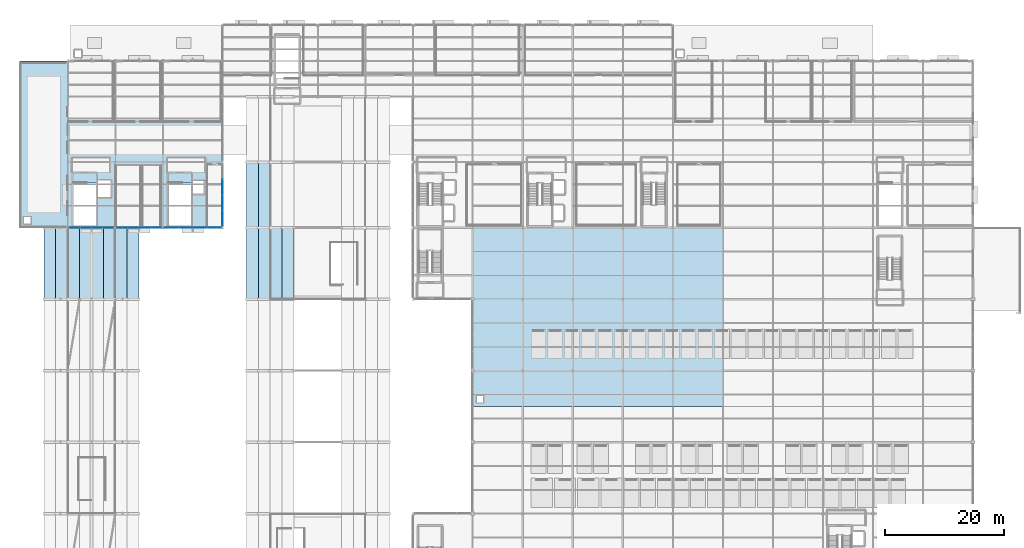
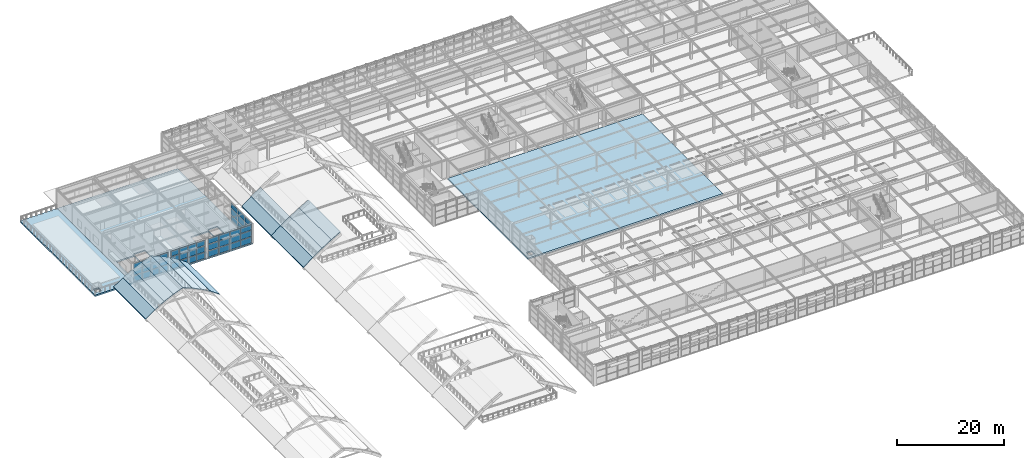
# One storey, part 48 of 82: 45 plates, 17 slabs, 4 elements without a shape of their own.
"""IFC4 building model written with IfcOpenShell, lengths in metres."""

from ifc_helpers import new_model, si_unit, direction, frame, origin, origin_2d, place, context, subcontext, project, spatial, polyline, rectangle, outline, extrude, material, layer, layer_set, type_object, element, aggregate, save


model = new_model("IFC4")

# Units and contexts
model_context = context("Model", 3, precision=1e-05, world=origin(), true_north=direction((0.0, 1.0)))
body_context = subcontext(model_context, "Body", "Model", "MODEL_VIEW")
ifc_project = project(units=[si_unit("LENGTHUNIT", "METRE"), si_unit("AREAUNIT", "SQUARE_METRE"), si_unit("VOLUMEUNIT", "CUBIC_METRE"), si_unit("PLANEANGLEUNIT", "RADIAN"), si_unit("MASSUNIT", "GRAM", prefix="KILO")], contexts=[model_context])

# Site, building, storey
site_placement = place(None, origin())
site = spatial("IfcSite", under=ifc_project, at=site_placement, CompositionType="ELEMENT")
building_placement = place(site_placement, origin())
building = spatial("IfcBuilding", under=site, at=building_placement, Name="Sitalva Quay Ferry Terminal", CompositionType="ELEMENT")
storey_placement = place(building_placement, frame((0.0, 0.0, 5.39990234375)))
storey = spatial("IfcBuildingStorey", under=building, at=storey_placement, Name="L02", CompositionType="ELEMENT", Elevation=5.39990234375)

# Curtain wall, plates
ifc_material_1 = material(Name="Anodised Aluminium & Low-E Glazing", Category="aluminium")
ifc_layer_1 = layer(ifc_material_1, 0.159912109375)
ifc_layer_set_1 = layer_set([ifc_layer_1], Name="Anodised Aluminium & Low-E Glazing")
curtain_wall_type = type_object("IfcCurtainWallType", Name="CW_Office_Unitised", PredefinedType="USERDEFINED", material=ifc_layer_set_1)
curtain_wall_1_placement = place(storey_placement, origin())
curtain_wall_1 = element("IfcCurtainWall", 1, at=curtain_wall_1_placement, inside=storey, type_object=curtain_wall_type, Name="L02 west wing south courtyard glazing (CW-L02-106)", ObjectType="CURTAIN_WALL", PredefinedType="USERDEFINED")
ifc_material_2 = material(Name="Solar-Control Low-E Glazing", Category="glass")
ifc_layer_2 = layer(ifc_material_2, 0.031982421875)
ifc_layer_set_2 = layer_set([ifc_layer_2], Name="Solar-Control Low-E Glazing")
plate_type_1 = type_object("IfcPlateType", Name="Panel_Solar_IGU_32", PredefinedType="CURTAIN_PANEL", material=ifc_layer_set_2)
plate_1_placement = place(storey_placement, frame((17.2099609375, 78.0, 1.63330078125), z_axis=(0.0, 0.0, 1.0), x_axis=(1.0, 0.0, 0.0)))
plate_1 = element("IfcPlate", 2, at=plate_1_placement, type_object=plate_type_1, Name="CW-L02-106-P0-1", PredefinedType="CURTAIN_PANEL", context=body_context, shape_type="SweptSolid", body=[
    extrude(rectangle(XDim=1.784912109375, YDim=0.031982421875, at=origin_2d()), origin(), (0.0, 0.0, 1.0), 1.333251953125),
])
plate_2_placement = place(storey_placement, frame((17.2099609375, 78.0, 3.11669921875), z_axis=(0.0, 0.0, 1.0), x_axis=(1.0, 0.0, 0.0)))
plate_2 = element("IfcPlate", 3, at=plate_2_placement, type_object=plate_type_1, Name="CW-L02-106-P0-2", PredefinedType="CURTAIN_PANEL", context=body_context, shape_type="SweptSolid", body=[
    extrude(rectangle(XDim=1.784912109375, YDim=0.031982421875, at=origin_2d()), origin(), (0.0, 0.0, 1.0), 1.183349609375),
])
plate_3_placement = place(storey_placement, frame((19.070068359375, 78.0, 1.63330078125), z_axis=(0.0, 0.0, 1.0), x_axis=(1.0, 0.0, 0.0)))
plate_3 = element("IfcPlate", 4, at=plate_3_placement, type_object=plate_type_1, Name="CW-L02-106-P1-1", PredefinedType="CURTAIN_PANEL", context=body_context, shape_type="SweptSolid", body=[
    extrude(rectangle(XDim=1.784912109375, YDim=0.031982421875, at=origin_2d()), origin(), (0.0, 0.0, 1.0), 1.333251953125),
])
plate_4_placement = place(storey_placement, frame((19.070068359375, 78.0, 3.11669921875), z_axis=(0.0, 0.0, 1.0), x_axis=(1.0, 0.0, 0.0)))
plate_4 = element("IfcPlate", 5, at=plate_4_placement, type_object=plate_type_1, Name="CW-L02-106-P1-2", PredefinedType="CURTAIN_PANEL", context=body_context, shape_type="SweptSolid", body=[
    extrude(rectangle(XDim=1.784912109375, YDim=0.031982421875, at=origin_2d()), origin(), (0.0, 0.0, 1.0), 1.183349609375),
])
plate_5_placement = place(storey_placement, frame((20.929931640625, 78.0, 1.63330078125), z_axis=(0.0, 0.0, 1.0), x_axis=(1.0, 0.0, 0.0)))
plate_5 = element("IfcPlate", 6, at=plate_5_placement, type_object=plate_type_1, Name="CW-L02-106-P2-1", PredefinedType="CURTAIN_PANEL", context=body_context, shape_type="SweptSolid", body=[
    extrude(rectangle(XDim=1.784912109375, YDim=0.031982421875, at=origin_2d()), origin(), (0.0, 0.0, 1.0), 1.333251953125),
])
plate_6_placement = place(storey_placement, frame((20.929931640625, 78.0, 3.11669921875), z_axis=(0.0, 0.0, 1.0), x_axis=(1.0, 0.0, 0.0)))
plate_6 = element("IfcPlate", 7, at=plate_6_placement, type_object=plate_type_1, Name="CW-L02-106-P2-2", PredefinedType="CURTAIN_PANEL", context=body_context, shape_type="SweptSolid", body=[
    extrude(rectangle(XDim=1.784912109375, YDim=0.031982421875, at=origin_2d()), origin(), (0.0, 0.0, 1.0), 1.183349609375),
])
plate_7_placement = place(storey_placement, frame((22.7900390625, 78.0, 1.63330078125), z_axis=(0.0, 0.0, 1.0), x_axis=(1.0, 0.0, 0.0)))
plate_7 = element("IfcPlate", 8, at=plate_7_placement, type_object=plate_type_1, Name="CW-L02-106-P3-1", PredefinedType="CURTAIN_PANEL", context=body_context, shape_type="SweptSolid", body=[
    extrude(rectangle(XDim=1.784912109375, YDim=0.031982421875, at=origin_2d()), origin(), (0.0, 0.0, 1.0), 1.333251953125),
])
plate_8_placement = place(storey_placement, frame((22.7900390625, 78.0, 3.11669921875), z_axis=(0.0, 0.0, 1.0), x_axis=(1.0, 0.0, 0.0)))
plate_8 = element("IfcPlate", 9, at=plate_8_placement, type_object=plate_type_1, Name="CW-L02-106-P3-2", PredefinedType="CURTAIN_PANEL", context=body_context, shape_type="SweptSolid", body=[
    extrude(rectangle(XDim=1.784912109375, YDim=0.031982421875, at=origin_2d()), origin(), (0.0, 0.0, 1.0), 1.183349609375),
])

curtain_wall_2_placement = place(storey_placement, origin())
curtain_wall_2 = element("IfcCurtainWall", 10, at=curtain_wall_2_placement, inside=storey, type_object=curtain_wall_type, Name="L02 west wing south courtyard glazing (CW-L02-107)", ObjectType="CURTAIN_WALL", PredefinedType="USERDEFINED")
plate_9_placement = place(storey_placement, frame((25.2099609375, 78.0, 1.63330078125), z_axis=(0.0, 0.0, 1.0), x_axis=(1.0, 0.0, 0.0)))
plate_9 = element("IfcPlate", 11, at=plate_9_placement, type_object=plate_type_1, Name="CW-L02-107-P0-1", PredefinedType="CURTAIN_PANEL", context=body_context, shape_type="SweptSolid", body=[
    extrude(rectangle(XDim=1.784912109375, YDim=0.031982421875, at=origin_2d()), origin(), (0.0, 0.0, 1.0), 1.333251953125),
])
plate_10_placement = place(storey_placement, frame((25.2099609375, 78.0, 3.11669921875), z_axis=(0.0, 0.0, 1.0), x_axis=(1.0, 0.0, 0.0)))
plate_10 = element("IfcPlate", 12, at=plate_10_placement, type_object=plate_type_1, Name="CW-L02-107-P0-2", PredefinedType="CURTAIN_PANEL", context=body_context, shape_type="SweptSolid", body=[
    extrude(rectangle(XDim=1.784912109375, YDim=0.031982421875, at=origin_2d()), origin(), (0.0, 0.0, 1.0), 1.183349609375),
])
plate_11_placement = place(storey_placement, frame((27.070068359375, 78.0, 1.63330078125), z_axis=(0.0, 0.0, 1.0), x_axis=(1.0, 0.0, 0.0)))
plate_11 = element("IfcPlate", 13, at=plate_11_placement, type_object=plate_type_1, Name="CW-L02-107-P1-1", PredefinedType="CURTAIN_PANEL", context=body_context, shape_type="SweptSolid", body=[
    extrude(rectangle(XDim=1.784912109375, YDim=0.031982421875, at=origin_2d()), origin(), (0.0, 0.0, 1.0), 1.333251953125),
])
plate_12_placement = place(storey_placement, frame((27.070068359375, 78.0, 3.11669921875), z_axis=(0.0, 0.0, 1.0), x_axis=(1.0, 0.0, 0.0)))
plate_12 = element("IfcPlate", 14, at=plate_12_placement, type_object=plate_type_1, Name="CW-L02-107-P1-2", PredefinedType="CURTAIN_PANEL", context=body_context, shape_type="SweptSolid", body=[
    extrude(rectangle(XDim=1.784912109375, YDim=0.031982421875, at=origin_2d()), origin(), (0.0, 0.0, 1.0), 1.183349609375),
])
plate_13_placement = place(storey_placement, frame((28.929931640625, 78.0, 1.63330078125), z_axis=(0.0, 0.0, 1.0), x_axis=(1.0, 0.0, 0.0)))
plate_13 = element("IfcPlate", 15, at=plate_13_placement, type_object=plate_type_1, Name="CW-L02-107-P2-1", PredefinedType="CURTAIN_PANEL", context=body_context, shape_type="SweptSolid", body=[
    extrude(rectangle(XDim=1.784912109375, YDim=0.031982421875, at=origin_2d()), origin(), (0.0, 0.0, 1.0), 1.333251953125),
])
plate_14_placement = place(storey_placement, frame((28.929931640625, 78.0, 3.11669921875), z_axis=(0.0, 0.0, 1.0), x_axis=(1.0, 0.0, 0.0)))
plate_14 = element("IfcPlate", 16, at=plate_14_placement, type_object=plate_type_1, Name="CW-L02-107-P2-2", PredefinedType="CURTAIN_PANEL", context=body_context, shape_type="SweptSolid", body=[
    extrude(rectangle(XDim=1.784912109375, YDim=0.031982421875, at=origin_2d()), origin(), (0.0, 0.0, 1.0), 1.183349609375),
])
plate_15_placement = place(storey_placement, frame((30.7900390625, 78.0, 1.63330078125), z_axis=(0.0, 0.0, 1.0), x_axis=(1.0, 0.0, 0.0)))
plate_15 = element("IfcPlate", 17, at=plate_15_placement, type_object=plate_type_1, Name="CW-L02-107-P3-1", PredefinedType="CURTAIN_PANEL", context=body_context, shape_type="SweptSolid", body=[
    extrude(rectangle(XDim=1.784912109375, YDim=0.031982421875, at=origin_2d()), origin(), (0.0, 0.0, 1.0), 1.333251953125),
])
plate_16_placement = place(storey_placement, frame((30.7900390625, 78.0, 3.11669921875), z_axis=(0.0, 0.0, 1.0), x_axis=(1.0, 0.0, 0.0)))
plate_16 = element("IfcPlate", 18, at=plate_16_placement, type_object=plate_type_1, Name="CW-L02-107-P3-2", PredefinedType="CURTAIN_PANEL", context=body_context, shape_type="SweptSolid", body=[
    extrude(rectangle(XDim=1.784912109375, YDim=0.031982421875, at=origin_2d()), origin(), (0.0, 0.0, 1.0), 1.183349609375),
])

curtain_wall_3_placement = place(storey_placement, origin())
curtain_wall_3 = element("IfcCurtainWall", 19, at=curtain_wall_3_placement, inside=storey, type_object=curtain_wall_type, Name="L02 west wing south courtyard glazing (CW-L02-108)", ObjectType="CURTAIN_WALL", PredefinedType="USERDEFINED")
plate_17_placement = place(storey_placement, frame((33.4599609375, 78.0, 1.63330078125), z_axis=(0.0, 0.0, 1.0), x_axis=(1.0, 0.0, 0.0)))
plate_17 = element("IfcPlate", 20, at=plate_17_placement, type_object=plate_type_1, Name="CW-L02-108-P0-1", PredefinedType="CURTAIN_PANEL", context=body_context, shape_type="SweptSolid", body=[
    extrude(rectangle(XDim=2.284912109375, YDim=0.031982421875, at=origin_2d()), origin(), (0.0, 0.0, 1.0), 1.333251953125),
])
plate_18_placement = place(storey_placement, frame((33.4599609375, 78.0, 3.11669921875), z_axis=(0.0, 0.0, 1.0), x_axis=(1.0, 0.0, 0.0)))
plate_18 = element("IfcPlate", 21, at=plate_18_placement, type_object=plate_type_1, Name="CW-L02-108-P0-2", PredefinedType="CURTAIN_PANEL", context=body_context, shape_type="SweptSolid", body=[
    extrude(rectangle(XDim=2.284912109375, YDim=0.031982421875, at=origin_2d()), origin(), (0.0, 0.0, 1.0), 1.183349609375),
])
plate_19_placement = place(storey_placement, frame((35.820068359375, 78.0, 1.63330078125), z_axis=(0.0, 0.0, 1.0), x_axis=(1.0, 0.0, 0.0)))
plate_19 = element("IfcPlate", 22, at=plate_19_placement, type_object=plate_type_1, Name="CW-L02-108-P1-1", PredefinedType="CURTAIN_PANEL", context=body_context, shape_type="SweptSolid", body=[
    extrude(rectangle(XDim=2.284912109375, YDim=0.031982421875, at=origin_2d()), origin(), (0.0, 0.0, 1.0), 1.333251953125),
])
plate_20_placement = place(storey_placement, frame((35.820068359375, 78.0, 3.11669921875), z_axis=(0.0, 0.0, 1.0), x_axis=(1.0, 0.0, 0.0)))
plate_20 = element("IfcPlate", 23, at=plate_20_placement, type_object=plate_type_1, Name="CW-L02-108-P1-2", PredefinedType="CURTAIN_PANEL", context=body_context, shape_type="SweptSolid", body=[
    extrude(rectangle(XDim=2.284912109375, YDim=0.031982421875, at=origin_2d()), origin(), (0.0, 0.0, 1.0), 1.183349609375),
])
plate_21_placement = place(storey_placement, frame((38.179931640625, 78.0, 1.63330078125), z_axis=(0.0, 0.0, 1.0), x_axis=(1.0, 0.0, 0.0)))
plate_21 = element("IfcPlate", 24, at=plate_21_placement, type_object=plate_type_1, Name="CW-L02-108-P2-1", PredefinedType="CURTAIN_PANEL", context=body_context, shape_type="SweptSolid", body=[
    extrude(rectangle(XDim=2.284912109375, YDim=0.031982421875, at=origin_2d()), origin(), (0.0, 0.0, 1.0), 1.333251953125),
])
plate_22_placement = place(storey_placement, frame((38.179931640625, 78.0, 3.11669921875), z_axis=(0.0, 0.0, 1.0), x_axis=(1.0, 0.0, 0.0)))
plate_22 = element("IfcPlate", 25, at=plate_22_placement, type_object=plate_type_1, Name="CW-L02-108-P2-2", PredefinedType="CURTAIN_PANEL", context=body_context, shape_type="SweptSolid", body=[
    extrude(rectangle(XDim=2.284912109375, YDim=0.031982421875, at=origin_2d()), origin(), (0.0, 0.0, 1.0), 1.183349609375),
])
plate_23_placement = place(storey_placement, frame((40.5400390625, 78.0, 1.63330078125), z_axis=(0.0, 0.0, 1.0), x_axis=(1.0, 0.0, 0.0)))
plate_23 = element("IfcPlate", 26, at=plate_23_placement, type_object=plate_type_1, Name="CW-L02-108-P3-1", PredefinedType="CURTAIN_PANEL", context=body_context, shape_type="SweptSolid", body=[
    extrude(rectangle(XDim=2.284912109375, YDim=0.031982421875, at=origin_2d()), origin(), (0.0, 0.0, 1.0), 1.333251953125),
])
plate_24_placement = place(storey_placement, frame((40.5400390625, 78.0, 3.11669921875), z_axis=(0.0, 0.0, 1.0), x_axis=(1.0, 0.0, 0.0)))
plate_24 = element("IfcPlate", 27, at=plate_24_placement, type_object=plate_type_1, Name="CW-L02-108-P3-2", PredefinedType="CURTAIN_PANEL", context=body_context, shape_type="SweptSolid", body=[
    extrude(rectangle(XDim=2.284912109375, YDim=0.031982421875, at=origin_2d()), origin(), (0.0, 0.0, 1.0), 1.183349609375),
])

curtain_wall_4_placement = place(storey_placement, origin())
curtain_wall_4 = element("IfcCurtainWall", 28, at=curtain_wall_4_placement, inside=storey, type_object=curtain_wall_type, Name="L02 west wing east glazing overlooking V1 (CW-L02-109)", ObjectType="CURTAIN_WALL", PredefinedType="USERDEFINED")
plate_25_placement = place(storey_placement, frame((42.0, 79.5849609375, 0.14990234375), z_axis=(0.0, 0.0, 1.0), x_axis=(0.0, 1.0, 0.0)))
plate_25 = element("IfcPlate", 29, at=plate_25_placement, type_object=plate_type_1, Name="CW-L02-109-P0-0", PredefinedType="CURTAIN_PANEL", context=body_context, shape_type="SweptSolid", body=[
    extrude(rectangle(XDim=2.534912109375, YDim=0.031982421875, at=origin_2d()), origin(), (0.0, 0.0, 1.0), 1.333251953125),
])
plate_26_placement = place(storey_placement, frame((42.0, 79.5849609375, 1.63330078125), z_axis=(0.0, 0.0, 1.0), x_axis=(0.0, 1.0, 0.0)))
plate_26 = element("IfcPlate", 30, at=plate_26_placement, type_object=plate_type_1, Name="CW-L02-109-P0-1", PredefinedType="CURTAIN_PANEL", context=body_context, shape_type="SweptSolid", body=[
    extrude(rectangle(XDim=2.534912109375, YDim=0.031982421875, at=origin_2d()), origin(), (0.0, 0.0, 1.0), 1.333251953125),
])
plate_27_placement = place(storey_placement, frame((42.0, 79.5849609375, 3.11669921875), z_axis=(0.0, 0.0, 1.0), x_axis=(0.0, 1.0, 0.0)))
plate_27 = element("IfcPlate", 31, at=plate_27_placement, type_object=plate_type_1, Name="CW-L02-109-P0-2", PredefinedType="CURTAIN_PANEL", context=body_context, shape_type="SweptSolid", body=[
    extrude(rectangle(XDim=2.534912109375, YDim=0.031982421875, at=origin_2d()), origin(), (0.0, 0.0, 1.0), 1.183349609375),
])
plate_28_placement = place(storey_placement, frame((42.0, 82.195068359375, 0.14990234375), z_axis=(0.0, 0.0, 1.0), x_axis=(0.0, 1.0, 0.0)))
plate_28 = element("IfcPlate", 32, at=plate_28_placement, type_object=plate_type_1, Name="CW-L02-109-P1-0", PredefinedType="CURTAIN_PANEL", context=body_context, shape_type="SweptSolid", body=[
    extrude(rectangle(XDim=2.534912109375, YDim=0.031982421875, at=origin_2d()), origin(), (0.0, 0.0, 1.0), 1.333251953125),
])
plate_29_placement = place(storey_placement, frame((42.0, 82.195068359375, 1.63330078125), z_axis=(0.0, 0.0, 1.0), x_axis=(0.0, 1.0, 0.0)))
plate_29 = element("IfcPlate", 33, at=plate_29_placement, type_object=plate_type_1, Name="CW-L02-109-P1-1", PredefinedType="CURTAIN_PANEL", context=body_context, shape_type="SweptSolid", body=[
    extrude(rectangle(XDim=2.534912109375, YDim=0.031982421875, at=origin_2d()), origin(), (0.0, 0.0, 1.0), 1.333251953125),
])
plate_30_placement = place(storey_placement, frame((42.0, 82.195068359375, 3.11669921875), z_axis=(0.0, 0.0, 1.0), x_axis=(0.0, 1.0, 0.0)))
plate_30 = element("IfcPlate", 34, at=plate_30_placement, type_object=plate_type_1, Name="CW-L02-109-P1-2", PredefinedType="CURTAIN_PANEL", context=body_context, shape_type="SweptSolid", body=[
    extrude(rectangle(XDim=2.534912109375, YDim=0.031982421875, at=origin_2d()), origin(), (0.0, 0.0, 1.0), 1.183349609375),
])
plate_31_placement = place(storey_placement, frame((42.0, 84.804931640625, 0.14990234375), z_axis=(0.0, 0.0, 1.0), x_axis=(0.0, 1.0, 0.0)))
plate_31 = element("IfcPlate", 35, at=plate_31_placement, type_object=plate_type_1, Name="CW-L02-109-P2-0", PredefinedType="CURTAIN_PANEL", context=body_context, shape_type="SweptSolid", body=[
    extrude(rectangle(XDim=2.534912109375, YDim=0.031982421875, at=origin_2d()), origin(), (0.0, 0.0, 1.0), 1.333251953125),
])
plate_32_placement = place(storey_placement, frame((42.0, 84.804931640625, 1.63330078125), z_axis=(0.0, 0.0, 1.0), x_axis=(0.0, 1.0, 0.0)))
plate_32 = element("IfcPlate", 36, at=plate_32_placement, type_object=plate_type_1, Name="CW-L02-109-P2-1", PredefinedType="CURTAIN_PANEL", context=body_context, shape_type="SweptSolid", body=[
    extrude(rectangle(XDim=2.534912109375, YDim=0.031982421875, at=origin_2d()), origin(), (0.0, 0.0, 1.0), 1.333251953125),
])
plate_33_placement = place(storey_placement, frame((42.0, 84.804931640625, 3.11669921875), z_axis=(0.0, 0.0, 1.0), x_axis=(0.0, 1.0, 0.0)))
plate_33 = element("IfcPlate", 37, at=plate_33_placement, type_object=plate_type_1, Name="CW-L02-109-P2-2", PredefinedType="CURTAIN_PANEL", context=body_context, shape_type="SweptSolid", body=[
    extrude(rectangle(XDim=2.534912109375, YDim=0.031982421875, at=origin_2d()), origin(), (0.0, 0.0, 1.0), 1.183349609375),
])
aggregate(curtain_wall_4, [plate_25, plate_26, plate_27, plate_28, plate_29, plate_30, plate_31, plate_32, plate_33])

# Plate
ifc_material_3 = material(Name="Insulated Spandrel Cassette", Category="aluminium")
ifc_layer_3 = layer(ifc_material_3, 0.0400390625)
ifc_layer_set_3 = layer_set([ifc_layer_3], Name="Insulated Spandrel Cassette")
plate_type_2 = type_object("IfcPlateType", Name="Panel_Spandrel_Alu_40", PredefinedType="CURTAIN_PANEL", material=ifc_layer_set_3)
plate_34_placement = place(storey_placement, frame((17.2099609375, 78.0, 0.14990234375), z_axis=(0.0, 0.0, 1.0), x_axis=(1.0, 0.0, 0.0)))
plate_34 = element("IfcPlate", 38, at=plate_34_placement, type_object=plate_type_2, Name="CW-L02-106-P0-0", PredefinedType="CURTAIN_PANEL", context=body_context, shape_type="SweptSolid", body=[
    extrude(rectangle(XDim=1.784912109375, YDim=0.0400390625, at=origin_2d()), origin(), (0.0, 0.0, 1.0), 1.333251953125),
])

plate_35_placement = place(storey_placement, frame((19.070068359375, 78.0, 0.14990234375), z_axis=(0.0, 0.0, 1.0), x_axis=(1.0, 0.0, 0.0)))
plate_35 = element("IfcPlate", 39, at=plate_35_placement, type_object=plate_type_2, Name="CW-L02-106-P1-0", PredefinedType="CURTAIN_PANEL", context=body_context, shape_type="SweptSolid", body=[
    extrude(rectangle(XDim=1.784912109375, YDim=0.0400390625, at=origin_2d()), origin(), (0.0, 0.0, 1.0), 1.333251953125),
])

plate_36_placement = place(storey_placement, frame((20.929931640625, 78.0, 0.14990234375), z_axis=(0.0, 0.0, 1.0), x_axis=(1.0, 0.0, 0.0)))
plate_36 = element("IfcPlate", 40, at=plate_36_placement, type_object=plate_type_2, Name="CW-L02-106-P2-0", PredefinedType="CURTAIN_PANEL", context=body_context, shape_type="SweptSolid", body=[
    extrude(rectangle(XDim=1.784912109375, YDim=0.0400390625, at=origin_2d()), origin(), (0.0, 0.0, 1.0), 1.333251953125),
])

plate_37_placement = place(storey_placement, frame((22.7900390625, 78.0, 0.14990234375), z_axis=(0.0, 0.0, 1.0), x_axis=(1.0, 0.0, 0.0)))
plate_37 = element("IfcPlate", 41, at=plate_37_placement, type_object=plate_type_2, Name="CW-L02-106-P3-0", PredefinedType="CURTAIN_PANEL", context=body_context, shape_type="SweptSolid", body=[
    extrude(rectangle(XDim=1.784912109375, YDim=0.0400390625, at=origin_2d()), origin(), (0.0, 0.0, 1.0), 1.333251953125),
])

aggregate(curtain_wall_1, [plate_34, plate_1, plate_2, plate_35, plate_3, plate_4, plate_36, plate_5, plate_6, plate_37, plate_7, plate_8])

plate_38_placement = place(storey_placement, frame((25.2099609375, 78.0, 0.14990234375), z_axis=(0.0, 0.0, 1.0), x_axis=(1.0, 0.0, 0.0)))
plate_38 = element("IfcPlate", 42, at=plate_38_placement, type_object=plate_type_2, Name="CW-L02-107-P0-0", PredefinedType="CURTAIN_PANEL", context=body_context, shape_type="SweptSolid", body=[
    extrude(rectangle(XDim=1.784912109375, YDim=0.0400390625, at=origin_2d()), origin(), (0.0, 0.0, 1.0), 1.333251953125),
])

plate_39_placement = place(storey_placement, frame((27.070068359375, 78.0, 0.14990234375), z_axis=(0.0, 0.0, 1.0), x_axis=(1.0, 0.0, 0.0)))
plate_39 = element("IfcPlate", 43, at=plate_39_placement, type_object=plate_type_2, Name="CW-L02-107-P1-0", PredefinedType="CURTAIN_PANEL", context=body_context, shape_type="SweptSolid", body=[
    extrude(rectangle(XDim=1.784912109375, YDim=0.0400390625, at=origin_2d()), origin(), (0.0, 0.0, 1.0), 1.333251953125),
])

plate_40_placement = place(storey_placement, frame((28.929931640625, 78.0, 0.14990234375), z_axis=(0.0, 0.0, 1.0), x_axis=(1.0, 0.0, 0.0)))
plate_40 = element("IfcPlate", 44, at=plate_40_placement, type_object=plate_type_2, Name="CW-L02-107-P2-0", PredefinedType="CURTAIN_PANEL", context=body_context, shape_type="SweptSolid", body=[
    extrude(rectangle(XDim=1.784912109375, YDim=0.0400390625, at=origin_2d()), origin(), (0.0, 0.0, 1.0), 1.333251953125),
])

plate_41_placement = place(storey_placement, frame((30.7900390625, 78.0, 0.14990234375), z_axis=(0.0, 0.0, 1.0), x_axis=(1.0, 0.0, 0.0)))
plate_41 = element("IfcPlate", 45, at=plate_41_placement, type_object=plate_type_2, Name="CW-L02-107-P3-0", PredefinedType="CURTAIN_PANEL", context=body_context, shape_type="SweptSolid", body=[
    extrude(rectangle(XDim=1.784912109375, YDim=0.0400390625, at=origin_2d()), origin(), (0.0, 0.0, 1.0), 1.333251953125),
])

aggregate(curtain_wall_2, [plate_38, plate_9, plate_10, plate_39, plate_11, plate_12, plate_40, plate_13, plate_14, plate_41, plate_15, plate_16])

plate_42_placement = place(storey_placement, frame((33.4599609375, 78.0, 0.14990234375), z_axis=(0.0, 0.0, 1.0), x_axis=(1.0, 0.0, 0.0)))
plate_42 = element("IfcPlate", 46, at=plate_42_placement, type_object=plate_type_2, Name="CW-L02-108-P0-0", PredefinedType="CURTAIN_PANEL", context=body_context, shape_type="SweptSolid", body=[
    extrude(rectangle(XDim=2.284912109375, YDim=0.0400390625, at=origin_2d()), origin(), (0.0, 0.0, 1.0), 1.333251953125),
])

plate_43_placement = place(storey_placement, frame((35.820068359375, 78.0, 0.14990234375), z_axis=(0.0, 0.0, 1.0), x_axis=(1.0, 0.0, 0.0)))
plate_43 = element("IfcPlate", 47, at=plate_43_placement, type_object=plate_type_2, Name="CW-L02-108-P1-0", PredefinedType="CURTAIN_PANEL", context=body_context, shape_type="SweptSolid", body=[
    extrude(rectangle(XDim=2.284912109375, YDim=0.0400390625, at=origin_2d()), origin(), (0.0, 0.0, 1.0), 1.333251953125),
])

plate_44_placement = place(storey_placement, frame((38.179931640625, 78.0, 0.14990234375), z_axis=(0.0, 0.0, 1.0), x_axis=(1.0, 0.0, 0.0)))
plate_44 = element("IfcPlate", 48, at=plate_44_placement, type_object=plate_type_2, Name="CW-L02-108-P2-0", PredefinedType="CURTAIN_PANEL", context=body_context, shape_type="SweptSolid", body=[
    extrude(rectangle(XDim=2.284912109375, YDim=0.0400390625, at=origin_2d()), origin(), (0.0, 0.0, 1.0), 1.333251953125),
])

plate_45_placement = place(storey_placement, frame((40.5400390625, 78.0, 0.14990234375), z_axis=(0.0, 0.0, 1.0), x_axis=(1.0, 0.0, 0.0)))
plate_45 = element("IfcPlate", 49, at=plate_45_placement, type_object=plate_type_2, Name="CW-L02-108-P3-0", PredefinedType="CURTAIN_PANEL", context=body_context, shape_type="SweptSolid", body=[
    extrude(rectangle(XDim=2.284912109375, YDim=0.0400390625, at=origin_2d()), origin(), (0.0, 0.0, 1.0), 1.333251953125),
])

aggregate(curtain_wall_3, [plate_42, plate_17, plate_18, plate_43, plate_19, plate_20, plate_44, plate_21, plate_22, plate_45, plate_23, plate_24])

# Slabs
ifc_material_4 = material(Name="Concrete C35/45", Category="concrete")
ifc_layer_4 = layer(ifc_material_4, 0.280029296875)
ifc_layer_set_4 = layer_set([ifc_layer_4], Name="Concrete C35/45")
slab_type_1 = type_object("IfcSlabType", Name="Slab_Concourse_280", PredefinedType="FLOOR", material=ifc_layer_set_4)
slab_1_placement = place(storey_placement, frame((0.0, 0.0, -0.27978515625)))
element("IfcSlab", 50, at=slab_1_placement, inside=storey, type_object=slab_type_1, Name="L02 North wing L02 west 045", PredefinedType="FLOOR", context=body_context, shape_type="SweptSolid", body=[
    extrude(outline(polyline([(16.0, 78.0), (42.0, 78.0), (42.0, 106.0), (16.0, 106.0), (16.0, 78.0)]), holes=[polyline([(16.93994140625, 78.340087890625), (16.93994140625, 85.5), (20.760009765625, 85.5), (20.760009765625, 78.340087890625), (16.93994140625, 78.340087890625)]), polyline([(20.89990234375, 82.949951171875), (20.89990234375, 86.050048828125), (23.39990234375, 86.050048828125), (23.39990234375, 82.949951171875), (20.89990234375, 82.949951171875)]), polyline([(32.93994140625, 78.340087890625), (32.93994140625, 85.5), (36.760009765625, 85.5), (36.760009765625, 78.340087890625), (32.93994140625, 78.340087890625)]), polyline([(36.89990234375, 83.60009765625), (36.89990234375, 86.0), (39.0, 86.0), (39.0, 83.60009765625), (36.89990234375, 83.60009765625)])]), origin(), (0.0, 0.0, 1.0), 0.27978515625),
])
ifc_material_5 = material(Name="Concrete C40/50", Category="concrete")
ifc_layer_5 = layer(ifc_material_5, 0.159912109375)
ifc_layer_set_5 = layer_set([ifc_layer_5], Name="Concrete C40/50")
slab_type_2 = type_object("IfcSlabType", Name="Slab_PointedVaultShell_160", PredefinedType="ROOF", material=ifc_layer_set_5)
slab_2_placement = place(storey_placement, frame((46.0, 66.0, 0.304931640625), z_axis=(-0.611012871189, 0.0, 0.791620661202), x_axis=(0.791620661202, 0.0, 0.611012871189)))
element("IfcSlab", 51, at=slab_2_placement, inside=storey, type_object=slab_type_2, Name="Vault V1 pointed shell facet B6-F3", PredefinedType="ROOF", context=body_context, shape_type="SweptSolid", body=[
    extrude(outline(polyline([(0.0, 0.0), (2.526462607688514, 0.0), (2.526462607688514, 12.0), (0.0, 12.0), (0.0, 0.0)])), origin(), (-0.611012871189, 0.0, -0.791620661202), 0.2021484375),
])
slab_3_placement = place(storey_placement, frame((48.0, 66.0, 1.8486328125), z_axis=(-0.572561943241, 0.0, 0.81986146461), x_axis=(0.81986146461, 0.0, 0.572561943241)))
element("IfcSlab", 52, at=slab_3_placement, inside=storey, type_object=slab_type_2, Name="Vault V1 pointed shell facet B6-F4", PredefinedType="ROOF", context=body_context, shape_type="SweptSolid", body=[
    extrude(outline(polyline([(0.0, 0.0), (2.439436522305923, 0.0), (2.439436522305923, 12.0), (0.0, 12.0), (0.0, 0.0)])), origin(), (-0.572561943241, 0.0, -0.81986146461), 0.195068359375),
])
slab_4_placement = place(storey_placement, frame((50.0, 66.0, 3.245361328125), z_axis=(-0.534148288935, 0.0, 0.845390800416), x_axis=(0.845390800416, 0.0, 0.534148288935)))
element("IfcSlab", 53, at=slab_4_placement, inside=storey, type_object=slab_type_2, Name="Vault V1 pointed shell facet B6-F5", PredefinedType="ROOF", context=body_context, shape_type="SweptSolid", body=[
    extrude(outline(polyline([(0.0, 0.0), (2.3657697706383045, 0.0), (2.3657697706383045, 12.0), (0.0, 12.0), (0.0, 0.0)])), origin(), (-0.534148288935, 0.0, -0.845390800416), 0.189208984375),
])
slab_5_placement = place(storey_placement, frame((52.0, 66.0, 4.509033203125), z_axis=(-0.495567919109, 0.0, 0.868569189846), x_axis=(0.868569189846, 0.0, 0.495567919109)))
element("IfcSlab", 54, at=slab_5_placement, inside=storey, type_object=slab_type_2, Name="Vault V1 pointed shell facet B6-F6", PredefinedType="ROOF", context=body_context, shape_type="SweptSolid", body=[
    extrude(outline(polyline([(0.0, 0.0), (2.3026375139489805, 0.0), (2.3026375139489805, 12.0), (0.0, 12.0), (0.0, 0.0)])), origin(), (-0.495567919109, 0.0, -0.868569189846), 0.184326171875),
])
slab_6_placement = place(storey_placement, frame((46.0, 78.0, 0.304931640625), z_axis=(-0.611012871189, 0.0, 0.791620661202), x_axis=(0.791620661202, 0.0, 0.611012871189)))
element("IfcSlab", 55, at=slab_6_placement, inside=storey, type_object=slab_type_2, Name="Vault V1 pointed shell facet B7-F3", PredefinedType="ROOF", context=body_context, shape_type="SweptSolid", body=[
    extrude(outline(polyline([(0.0, 0.0), (2.526462607688514, 0.0), (2.526462607688514, 11.0), (0.0, 11.0), (0.0, 0.0)])), origin(), (-0.611012871189, 0.0, -0.791620661202), 0.2021484375),
])
slab_7_placement = place(storey_placement, frame((48.0, 78.0, 1.8486328125), z_axis=(-0.572561943241, 0.0, 0.81986146461), x_axis=(0.81986146461, 0.0, 0.572561943241)))
element("IfcSlab", 56, at=slab_7_placement, inside=storey, type_object=slab_type_2, Name="Vault V1 pointed shell facet B7-F4", PredefinedType="ROOF", context=body_context, shape_type="SweptSolid", body=[
    extrude(outline(polyline([(0.0, 0.0), (2.439436522305923, 0.0), (2.439436522305923, 11.0), (0.0, 11.0), (0.0, 0.0)])), origin(), (-0.572561943241, 0.0, -0.81986146461), 0.195068359375),
])
slab_8_placement = place(storey_placement, frame((12.0, 66.0, 0.47802734375), z_axis=(-0.57671060442, 0.0, 0.816948516584), x_axis=(0.816948516584, 0.0, 0.57671060442)))
element("IfcSlab", 57, at=slab_8_placement, inside=storey, type_object=slab_type_2, Name="Vault V2 pointed shell facet B6-F3", PredefinedType="ROOF", context=body_context, shape_type="SweptSolid", body=[
    extrude(outline(polyline([(0.0, 0.0), (2.448134685844873, 0.0), (2.448134685844873, 12.0), (0.0, 12.0), (0.0, 0.0)])), origin(), (-0.57671060442, 0.0, -0.816948516584), 0.19580078125),
])
slab_9_placement = place(storey_placement, frame((14.0, 66.0, 1.889892578125), z_axis=(-0.505154322463, 0.0, 0.863029032245), x_axis=(0.863029032245, 0.0, 0.505154322463)))
element("IfcSlab", 58, at=slab_9_placement, inside=storey, type_object=slab_type_2, Name="Vault V2 pointed shell facet B6-F4", PredefinedType="ROOF", context=body_context, shape_type="SweptSolid", body=[
    extrude(outline(polyline([(0.0, 0.0), (2.3174191426653703, 0.0), (2.3174191426653703, 12.0), (0.0, 12.0), (0.0, 0.0)])), origin(), (-0.505154322463, 0.0, -0.863029032245), 0.185302734375),
])
slab_10_placement = place(storey_placement, frame((16.0, 66.0, 3.060546875), z_axis=(-0.433610556325, 0.0, 0.901100374788), x_axis=(0.901100374788, 0.0, 0.433610556325)))
element("IfcSlab", 59, at=slab_10_placement, inside=storey, type_object=slab_type_2, Name="Vault V2 pointed shell facet B6-F5", PredefinedType="ROOF", context=body_context, shape_type="SweptSolid", body=[
    extrude(outline(polyline([(0.0, 0.0), (2.2195085652584208, 0.0), (2.2195085652584208, 12.0), (0.0, 12.0), (0.0, 0.0)])), origin(), (-0.433610556325, 0.0, -0.901100374788), 0.177490234375),
])
slab_11_placement = place(storey_placement, frame((18.0, 66.0, 4.02294921875), z_axis=(-0.362171701685, 0.0, 0.932111398116), x_axis=(0.932111398116, 0.0, 0.362171701685)))
element("IfcSlab", 60, at=slab_11_placement, inside=storey, type_object=slab_type_2, Name="Vault V2 pointed shell facet B6-F6", PredefinedType="ROOF", context=body_context, shape_type="SweptSolid", body=[
    extrude(outline(polyline([(0.0, 0.0), (2.1456662841389798, 0.0), (2.1456662841389798, 12.0), (0.0, 12.0), (0.0, 0.0)])), origin(), (-0.362171701685, 0.0, -0.932111398116), 0.171630859375),
])
slab_12_placement = place(storey_placement, frame((20.0, 66.0, 4.800048828125), z_axis=(0.362171701685, 0.0, 0.932111398116), x_axis=(0.932111398116, 0.0, -0.362171701685)))
element("IfcSlab", 61, at=slab_12_placement, inside=storey, type_object=slab_type_2, Name="Vault V2 pointed shell facet B6-F7", PredefinedType="ROOF", context=body_context, shape_type="SweptSolid", body=[
    extrude(outline(polyline([(0.0, 0.0), (2.1456662841389798, 0.0), (2.1456662841389798, 12.0), (0.0, 12.0), (0.0, 0.0)])), origin(), (0.362171701685, 0.0, -0.932111398116), 0.171630859375),
])
slab_13_placement = place(storey_placement, frame((22.0, 66.0, 4.02294921875), z_axis=(0.433610556325, 0.0, 0.901100374788), x_axis=(0.901100374788, 0.0, -0.433610556325)))
element("IfcSlab", 62, at=slab_13_placement, inside=storey, type_object=slab_type_2, Name="Vault V2 pointed shell facet B6-F8", PredefinedType="ROOF", context=body_context, shape_type="SweptSolid", body=[
    extrude(outline(polyline([(0.0, 0.0), (2.2195085652584208, 0.0), (2.2195085652584208, 12.0), (0.0, 12.0), (0.0, 0.0)])), origin(), (0.433610556325, 0.0, -0.901100374788), 0.177490234375),
])
slab_14_placement = place(storey_placement, frame((24.0, 66.0, 3.060546875), z_axis=(0.505154322463, 0.0, 0.863029032245), x_axis=(0.863029032245, 0.0, -0.505154322463)))
element("IfcSlab", 63, at=slab_14_placement, inside=storey, type_object=slab_type_2, Name="Vault V2 pointed shell facet B6-F9", PredefinedType="ROOF", context=body_context, shape_type="SweptSolid", body=[
    extrude(outline(polyline([(0.0, 0.0), (2.3174191426653703, 0.0), (2.3174191426653703, 12.0), (0.0, 12.0), (0.0, 0.0)])), origin(), (0.505154322463, 0.0, -0.863029032245), 0.185302734375),
])
slab_15_placement = place(storey_placement, frame((26.0, 66.0, 1.889892578125), z_axis=(0.57671060442, 0.0, 0.816948516584), x_axis=(0.816948516584, 0.0, -0.57671060442)))
element("IfcSlab", 64, at=slab_15_placement, inside=storey, type_object=slab_type_2, Name="Vault V2 pointed shell facet B6-F10", PredefinedType="ROOF", context=body_context, shape_type="SweptSolid", body=[
    extrude(outline(polyline([(0.0, 0.0), (2.448134685844873, 0.0), (2.448134685844873, 12.0), (0.0, 12.0), (0.0, 0.0)])), origin(), (0.57671060442, 0.0, -0.816948516584), 0.19580078125),
])
ifc_material_6 = material(Name="Concrete C35/45", Category="concrete")
ifc_layer_6 = layer(ifc_material_6, 0.35009765625)
ifc_layer_set_6 = layer_set([ifc_layer_6], Name="Concrete C35/45")
slab_type_3 = type_object("IfcSlabType", Name="Slab_RoofGarden_350", PredefinedType="ROOF", material=ifc_layer_set_6)
slab_16_placement = place(storey_placement, frame((0.0, 0.0, -0.349853515625)))
element("IfcSlab", 65, at=slab_16_placement, inside=storey, type_object=slab_type_3, Name="L02 L02 west court garden terrace 044", PredefinedType="ROOF", context=body_context, shape_type="SweptSolid", body=[
    extrude(outline(polyline([(8.0, 78.0), (16.0, 78.0), (16.0, 106.0), (8.0, 106.0), (8.0, 78.0)]), holes=[polyline([(8.64990234375, 78.64990234375), (8.64990234375, 79.800048828125), (9.800048828125, 79.800048828125), (9.800048828125, 78.64990234375), (8.64990234375, 78.64990234375)])]), origin(), (0.0, 0.0, 1.0), 0.349853515625),
])
ifc_material_7 = material(Name="Concrete C35/45", Category="concrete")
ifc_layer_7 = layer(ifc_material_7, 0.320068359375)
ifc_layer_set_7 = layer_set([ifc_layer_7], Name="Concrete C35/45")
slab_type_4 = type_object("IfcSlabType", Name="Slab_VehicleDeck_320", PredefinedType="FLOOR", material=ifc_layer_set_7)
slab_17_placement = place(storey_placement, frame((0.0, 0.0, -0.31982421875)))
element("IfcSlab", 66, at=slab_17_placement, inside=storey, type_object=slab_type_4, Name="L02 Upper vehicle deck NW 040", PredefinedType="FLOOR", context=body_context, shape_type="SweptSolid", body=[
    extrude(outline(polyline([(84.0, 48.0), (126.0, 48.0), (126.0, 78.0), (84.0, 78.0), (84.0, 48.0)]), holes=[polyline([(84.64990234375, 48.64990234375), (84.64990234375, 49.800048828125), (85.800048828125, 49.800048828125), (85.800048828125, 48.64990234375), (84.64990234375, 48.64990234375)])]), origin(), (0.0, 0.0, 1.0), 0.31982421875),
])

save(model, "model.ifc")
